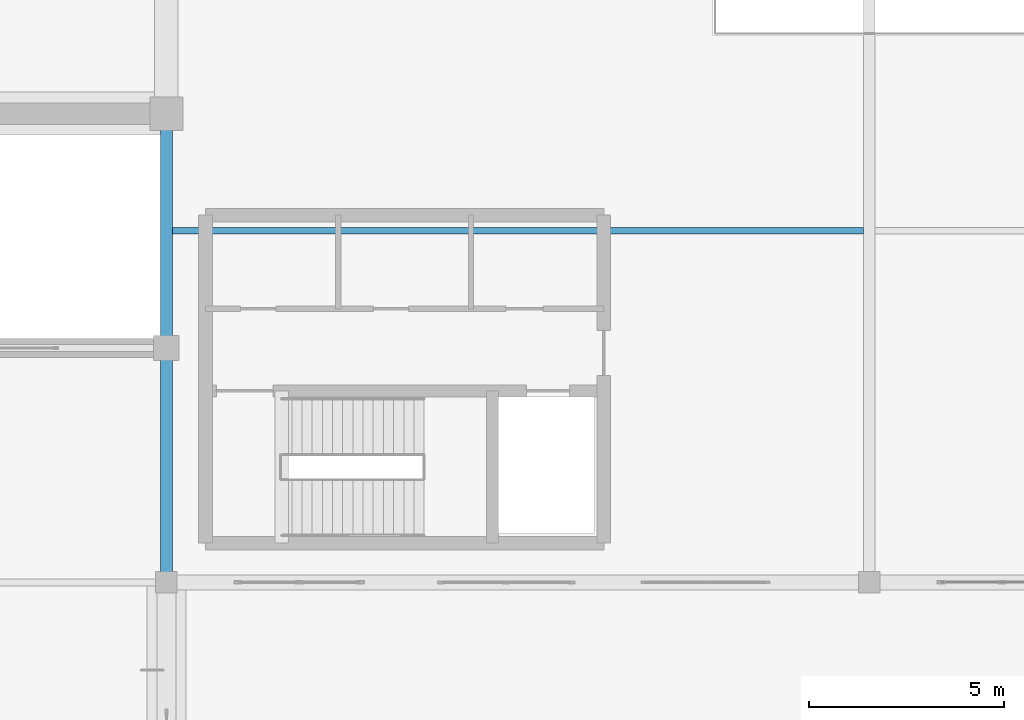
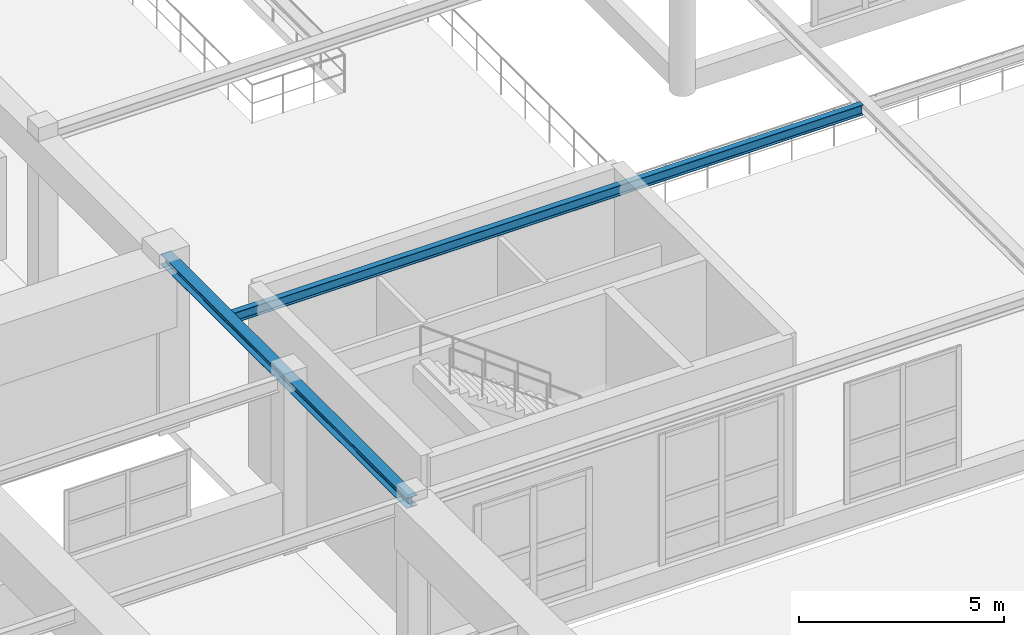
# One storey, part 47 of 197: 2 beams.
"""IFC4 building model written with IfcOpenShell, lengths in metres."""

from ifc_helpers import new_model, si_unit, derived_unit, direction, frame, origin, origin_2d, place, context, subcontext, project, spatial, i_section, extrude, material, material_profile, profile_set, type_object, element, save


model = new_model("IFC4")

# Units and contexts
model_context = context("Model", 3, precision=1e-05, world=origin(), true_north=direction((0.0, 1.0)))
body_context = subcontext(model_context, "Body", "Model", "MODEL_VIEW")
ifc_project = project(units=[si_unit("LENGTHUNIT", "METRE"), si_unit("AREAUNIT", "SQUARE_METRE"), si_unit("VOLUMEUNIT", "CUBIC_METRE"), si_unit("PLANEANGLEUNIT", "RADIAN"), si_unit("MASSUNIT", "GRAM", prefix="KILO"), derived_unit("THERMALTRANSMITTANCEUNIT", [(si_unit("POWERUNIT", "WATT"), 1), (si_unit("LENGTHUNIT", "METRE"), -2), (si_unit("THERMODYNAMICTEMPERATUREUNIT", "KELVIN"), -1)])], contexts=[model_context])

# Site, building, storey
site_placement = place(None, origin())
site = spatial("IfcSite", under=ifc_project, at=site_placement, CompositionType="ELEMENT")
building_placement = place(site_placement, origin())
building = spatial("IfcBuilding", under=site, at=building_placement, Name="Almenara Railside Exhibition Hall", CompositionType="ELEMENT")
storey_placement = place(building_placement, frame((0.0, 0.0, 5.39990234375)))
storey = spatial("IfcBuildingStorey", under=building, at=storey_placement, Name="L01", CompositionType="ELEMENT", Elevation=5.39990234375)

# Beams
ifc_material = material(Name="Structural steel S355JR", Category="steel")
ifc_material_profile_1 = material_profile(ifc_material, i_section(OverallWidth=0.300048828125, OverallDepth=0.31005859375, WebThickness=0.009033203125, FlangeThickness=0.015380859375, FilletRadius=0.027099609375, at=origin_2d()), Name="HEA 320")
ifc_profile_set_1 = profile_set([ifc_material_profile_1], Name="Structural steel S355JR")
beam_type_1 = type_object("IfcBeamType", Name="Steel Concourse Edge Beam HEA 320 S355JR", PredefinedType="BEAM", material=ifc_profile_set_1)
beam_1_placement = place(storey_placement, frame((66.0, 36.0, 4.93505859375), z_axis=(0.0, 1.0, 0.0), x_axis=(-1.0, 0.0, 0.0)))
element("IfcBeam", 1, at=beam_1_placement, inside=storey, type_object=beam_type_1, Name="Beam 0811", PredefinedType="BEAM", context=body_context, shape_type="SweptSolid", body=[
    extrude(i_section(OverallWidth=0.300048828125, OverallDepth=0.31005859375, WebThickness=0.009033203125, FlangeThickness=0.015380859375, FilletRadius=0.027099609375, at=origin_2d()), origin(), (0.0, 0.0, 1.0), 12.0),
])
ifc_material_profile_2 = material_profile(ifc_material, i_section(OverallWidth=0.165771484375, OverallDepth=0.306640625, WebThickness=0.006591796875, FlangeThickness=0.01171875, FilletRadius=0.0087890625, at=origin_2d()), Name="UB 305x165x46")
ifc_profile_set_2 = profile_set([ifc_material_profile_2], Name="Structural steel S355JR")
beam_type_2 = type_object("IfcBeamType", Name="Steel Walkway Joist UB 305x165x46 S355JR", PredefinedType="JOIST", material=ifc_profile_set_2)
beam_2_placement = place(storey_placement, frame((66.14990234375, 45.0, 4.936767578125), z_axis=(1.0, 0.0, 0.0), x_axis=(0.0, 1.0, 0.0)))
element("IfcBeam", 2, at=beam_2_placement, inside=storey, type_object=beam_type_2, Name="Beam 0780", PredefinedType="JOIST", context=body_context, shape_type="SweptSolid", body=[
    extrude(i_section(OverallWidth=0.165771484375, OverallDepth=0.306640625, WebThickness=0.006591796875, FlangeThickness=0.01171875, FilletRadius=0.0087890625, at=origin_2d()), origin(), (0.0, 0.0, 1.0), 17.7001953125),
])

save(model, "model.ifc")
